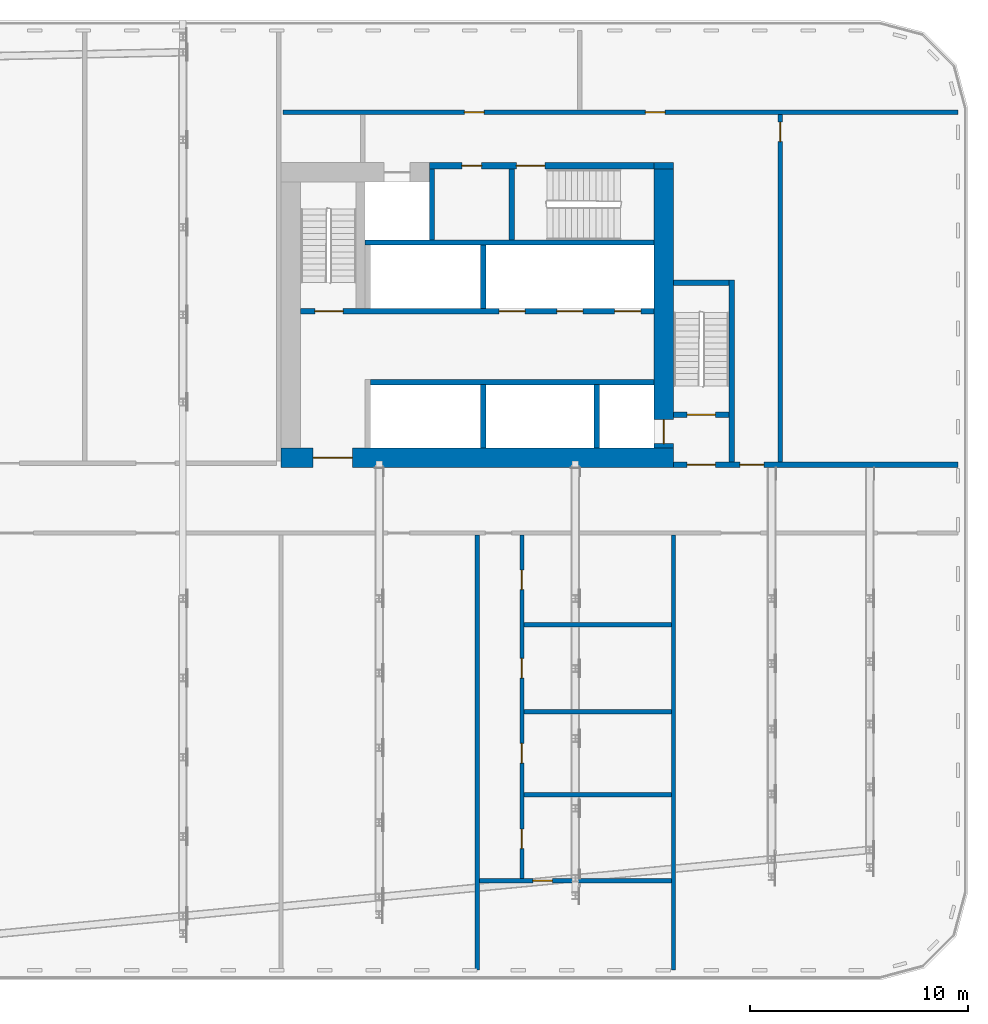
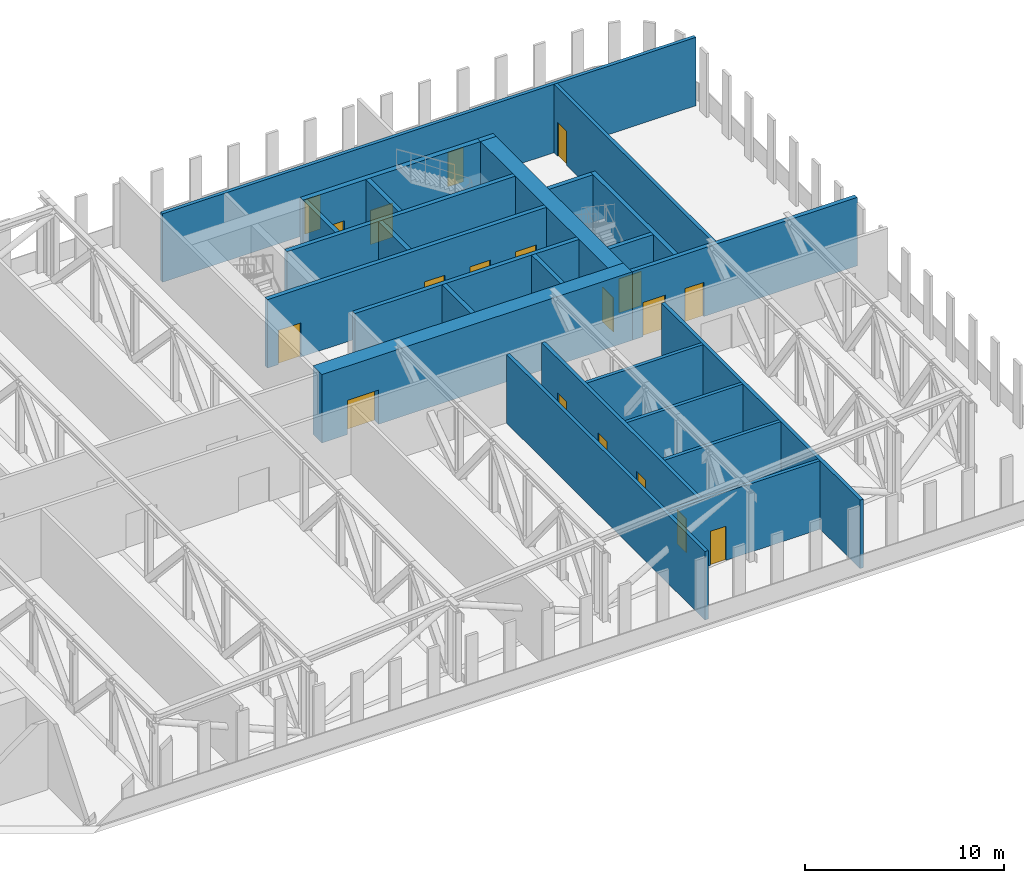
# One storey, part 9 of 22: 25 walls, 19 doors, 19 openings.
"""IFC4 building model written with IfcOpenShell, lengths in metres."""

from ifc_helpers import new_model, si_unit, direction, frame, frame_2d, origin, place, context, subcontext, project, spatial, rectangle, extrude, material, layer, layer_set, type_object, element, fill, save


model = new_model("IFC4")

# Units and contexts
model_context = context("Model", 3, precision=1e-05, world=origin(), true_north=direction((0.0, 1.0)))
body_context = subcontext(model_context, "Body", "Model", "MODEL_VIEW")
ifc_project = project(units=[si_unit("LENGTHUNIT", "METRE"), si_unit("AREAUNIT", "SQUARE_METRE"), si_unit("VOLUMEUNIT", "CUBIC_METRE"), si_unit("PLANEANGLEUNIT", "RADIAN"), si_unit("MASSUNIT", "GRAM", prefix="KILO")], contexts=[model_context])

# Site, building, storey
site_placement = place(None, origin())
site = spatial("IfcSite", under=ifc_project, at=site_placement, CompositionType="ELEMENT")
building_placement = place(site_placement, origin())
building = spatial("IfcBuilding", under=site, at=building_placement, Name="Kajstack Hotel Tower", CompositionType="ELEMENT")
storey_placement = place(building_placement, frame((0.0, 0.0, 99.60009765625)))
storey = spatial("IfcBuildingStorey", under=building, at=storey_placement, Name="L21", CompositionType="ELEMENT", Elevation=99.60009765625)

# Wall, opening, door
ifc_material_1 = material(Name="Concrete C60/75", Category="concrete")
ifc_layer_1 = layer(ifc_material_1, 0.89990234375)
ifc_layer_set_1 = layer_set([ifc_layer_1], Name="Core wall 900")
wall_type_1 = type_object("IfcWallType", Name="Core wall 900", PredefinedType="SHEAR", material=ifc_layer_set_1)
wall_1_placement = place(storey_placement, frame((13.5, 1.949951171875, 0.0), z_axis=(0.0, 0.0, 1.0), x_axis=(1.0, 0.0, 0.0)))
wall_1 = element("IfcWall", 1, at=wall_1_placement, inside=storey, type_object=wall_type_1, Name="Core wall E RN", PredefinedType="SHEAR", context=body_context, shape_type="SweptSolid", body=[
    extrude(rectangle(XDim=18.0, YDim=0.89990234375, at=frame_2d((9.0, 0.0))), origin(), (0.0, 0.0, 1.0), 4.199951171875),
])
opening_1_placement = place(wall_1_placement, frame((1.47509765625, 0.0, 0.0)))
opening_1 = element("IfcOpeningElement", 2, at=opening_1_placement, cuts=wall_1, Name="Opening 21E06", PredefinedType="OPENING", context=body_context, shape_type="SweptSolid", body=[
    extrude(rectangle(XDim=1.800048828125, YDim=2.10009765625, at=frame_2d((0.89990234375, 1.050048828125))), frame((0.0, 0.4599609375, 0.0), z_axis=(0.0, -1.0, 0.0), x_axis=(1.0, 0.0, 0.0)), (0.0, 0.0, 1.0), 0.919921875),
])
ifc_material_2 = material(Name="Glazed steel frame, fire-rated glass", Category="steel")
door_type_1 = type_object("IfcDoorType", Name="Lobby double door 1800", OperationType="DOUBLE_DOOR_DOUBLE_SWING", PredefinedType="DOOR", material=ifc_material_2)
door_1_placement = place(opening_1_placement, origin())
door_1 = element("IfcDoor", 3, at=door_1_placement, inside=storey, type_object=door_type_1, Name="Door 21E06", OperationType="DOUBLE_DOOR_DOUBLE_SWING", OverallHeight=2.10009765625, OverallWidth=1.800048828125, PredefinedType="DOOR", context=body_context, shape_type="SweptSolid", body=[
    extrude(rectangle(XDim=1.800048828125, YDim=2.10009765625, at=frame_2d((0.89990234375, 1.050048828125))), frame((0.0, 0.02490234375, 0.0), z_axis=(0.0, -1.0, 0.0), x_axis=(1.0, 0.0, 0.0)), (0.0, 0.0, 1.0), 0.050048828125),
])
fill(opening_1, door_1)

# Wall
wall_2_placement = place(storey_placement, frame((30.60009765625, 15.35009765625, 0.0), z_axis=(0.0, 0.0, 1.0), x_axis=(1.0, 0.0, 0.0)))
element("IfcWall", 4, at=wall_2_placement, inside=storey, type_object=wall_type_1, Name="Core wall E RSW", PredefinedType="SHEAR", context=body_context, shape_type="SweptSolid", body=[
    extrude(rectangle(XDim=0.89990234375, YDim=0.300048828125, at=frame_2d((0.449951171875, 0.0))), origin(), (0.0, 0.0, 1.0), 4.199951171875),
])

# Wall, opening, door
wall_3_placement = place(storey_placement, frame((31.050048828125, 2.39990234375, 0.0), z_axis=(0.0, 0.0, 1.0), x_axis=(0.0, 1.0, 0.0)))
wall_3 = element("IfcWall", 5, at=wall_3_placement, inside=storey, type_object=wall_type_1, Name="Core wall E RW", PredefinedType="SHEAR", context=body_context, shape_type="SweptSolid", body=[
    extrude(rectangle(XDim=12.800048828125, YDim=0.89990234375, at=frame_2d((6.39990234375, 0.0))), origin(), (0.0, 0.0, 1.0), 4.199951171875),
])
opening_2_placement = place(wall_3_placement, frame((0.199951171875, 0.0, 0.0)))
opening_2 = element("IfcOpeningElement", 6, at=opening_2_placement, cuts=wall_3, Name="Opening LD-FF2", PredefinedType="OPENING", context=body_context, shape_type="SweptSolid", body=[
    extrude(rectangle(XDim=1.10009765625, YDim=2.10009765625, at=frame_2d((0.550048828125, 1.050048828125))), frame((0.0, 0.4599609375, 0.0), z_axis=(0.0, -1.0, 0.0), x_axis=(1.0, 0.0, 0.0)), (0.0, 0.0, 1.0), 0.919921875),
])
ifc_material_3 = material(Name="Stainless steel", Category="steel")
door_type_2 = type_object("IfcDoorType", Name="Fire-fighting lift landing door 1100", OperationType="SLIDING_TO_LEFT", PredefinedType="DOOR", material=ifc_material_3)
door_2_placement = place(opening_2_placement, origin())
door_2 = element("IfcDoor", 7, at=door_2_placement, inside=storey, type_object=door_type_2, Name="Landing door FF2", OperationType="SLIDING_TO_LEFT", OverallHeight=2.10009765625, OverallWidth=1.10009765625, PredefinedType="DOOR", context=body_context, shape_type="SweptSolid", body=[
    extrude(rectangle(XDim=1.10009765625, YDim=2.10009765625, at=frame_2d((0.550048828125, 1.050048828125))), frame((0.0, 0.02490234375, 0.0), z_axis=(0.0, -1.0, 0.0), x_axis=(1.0, 0.0, 0.0)), (0.0, 0.0, 1.0), 0.050048828125),
])
fill(opening_2, door_2)

# Walls
ifc_material_4 = material(Name="Concrete C50/60", Category="concrete")
ifc_layer_2 = layer(ifc_material_4, 0.300048828125)
ifc_layer_set_2 = layer_set([ifc_layer_2], Name="Hoistway divider wall 300")
wall_type_2 = type_object("IfcWallType", Name="Hoistway divider wall 300", PredefinedType="SHEAR", material=ifc_layer_set_2)
wall_4_placement = place(storey_placement, frame((22.77490234375, 2.39990234375, 0.0), z_axis=(0.0, 0.0, 1.0), x_axis=(0.0, 1.0, 0.0)))
element("IfcWall", 8, at=wall_4_placement, inside=storey, type_object=wall_type_2, Name="Core wall E AP2", PredefinedType="SHEAR", context=body_context, shape_type="SweptSolid", body=[
    extrude(rectangle(XDim=2.900146484375, YDim=0.25, at=frame_2d((1.4501953125, 0.0))), origin(), (0.0, 0.0, 1.0), 4.199951171875),
])
wall_5_placement = place(storey_placement, frame((22.77490234375, 8.800048828125, 0.0), z_axis=(0.0, 0.0, 1.0), x_axis=(0.0, 1.0, 0.0)))
element("IfcWall", 9, at=wall_5_placement, inside=storey, type_object=wall_type_2, Name="Core wall E BP2", PredefinedType="SHEAR", context=body_context, shape_type="SweptSolid", body=[
    extrude(rectangle(XDim=2.89990234375, YDim=0.25, at=frame_2d((1.449951171875, 0.0))), origin(), (0.0, 0.0, 1.0), 4.199951171875),
])
ifc_material_5 = material(Name="Gypsum board on steel studs, mineral wool", Category="steel")
ifc_layer_3 = layer(ifc_material_5, 0.199951171875)
ifc_layer_set_3 = layer_set([ifc_layer_3], Name="Public partition 200")
wall_type_3 = type_object("IfcWallType", Name="Public partition 200", PredefinedType="PARTITIONING", material=ifc_layer_set_3)
wall_6_placement = place(storey_placement, frame((22.5, -21.550048828125, 0.0), z_axis=(0.0, 0.0, 1.0), x_axis=(0.0, 1.0, 0.0)))
element("IfcWall", 10, at=wall_6_placement, inside=storey, type_object=wall_type_3, Name="Partition SPX2", PredefinedType="PARTITIONING", context=body_context, shape_type="SweptSolid", body=[
    extrude(rectangle(XDim=19.949951171875, YDim=0.199951171875, at=frame_2d((9.97509765625, 0.0))), origin(), (0.0, 0.0, 1.0), 4.199951171875),
])

# Wall, openings, doors
wall_7_placement = place(storey_placement, frame((24.550048828125, -17.35009765625, 0.0), z_axis=(0.0, 0.0, 1.0), x_axis=(0.0, 1.0, 0.0)))
wall_7 = element("IfcWall", 11, at=wall_7_placement, inside=storey, type_object=wall_type_3, Name="Partition SC3CW", PredefinedType="PARTITIONING", context=body_context, shape_type="SweptSolid", body=[
    extrude(rectangle(XDim=15.75, YDim=0.199951171875, at=frame_2d((7.875, 0.0))), origin(), (0.0, 0.0, 1.0), 4.199951171875),
])
opening_3_placement = place(wall_7_placement, frame((13.25, 0.0, 0.0)))
opening_3 = element("IfcOpeningElement", 12, at=opening_3_placement, cuts=wall_7, Name="Opening 21P17", PredefinedType="OPENING", context=body_context, shape_type="SweptSolid", body=[
    extrude(rectangle(XDim=0.89990234375, YDim=2.10009765625, at=frame_2d((0.449951171875, 1.050048828125))), frame((0.0, 0.10986328125, 0.0), z_axis=(0.0, -1.0, 0.0), x_axis=(1.0, 0.0, 0.0)), (0.0, 0.0, 1.0), 0.219970703125),
])
opening_4_placement = place(wall_7_placement, frame((9.199951171875, 0.0, 0.0)))
opening_4 = element("IfcOpeningElement", 13, at=opening_4_placement, cuts=wall_7, Name="Opening 21P18", PredefinedType="OPENING", context=body_context, shape_type="SweptSolid", body=[
    extrude(rectangle(XDim=0.89990234375, YDim=2.10009765625, at=frame_2d((0.449951171875, 1.050048828125))), frame((0.0, 0.10986328125, 0.0), z_axis=(0.0, -1.0, 0.0), x_axis=(1.0, 0.0, 0.0)), (0.0, 0.0, 1.0), 0.219970703125),
])
opening_5_placement = place(wall_7_placement, frame((5.300048828125, 0.0, 0.0)))
opening_5 = element("IfcOpeningElement", 14, at=opening_5_placement, cuts=wall_7, Name="Opening 21P19", PredefinedType="OPENING", context=body_context, shape_type="SweptSolid", body=[
    extrude(rectangle(XDim=0.89990234375, YDim=2.10009765625, at=frame_2d((0.449951171875, 1.050048828125))), frame((0.0, 0.10986328125, 0.0), z_axis=(0.0, -1.0, 0.0), x_axis=(1.0, 0.0, 0.0)), (0.0, 0.0, 1.0), 0.219970703125),
])
opening_6_placement = place(wall_7_placement, frame((1.375, 0.0, 0.0)))
opening_6 = element("IfcOpeningElement", 15, at=opening_6_placement, cuts=wall_7, Name="Opening 21P20", PredefinedType="OPENING", context=body_context, shape_type="SweptSolid", body=[
    extrude(rectangle(XDim=0.89990234375, YDim=2.10009765625, at=frame_2d((0.449951171875, 1.050048828125))), frame((0.0, 0.10986328125, 0.0), z_axis=(0.0, -1.0, 0.0), x_axis=(1.0, 0.0, 0.0)), (0.0, 0.0, 1.0), 0.219970703125),
])
ifc_material_6 = material(Name="Timber leaf", Category="wood")
door_type_3 = type_object("IfcDoorType", Name="Public room door 900", OperationType="SINGLE_SWING_LEFT", PredefinedType="DOOR", material=ifc_material_6)
door_3_placement = place(opening_3_placement, origin())
door_3 = element("IfcDoor", 16, at=door_3_placement, inside=storey, type_object=door_type_3, Name="Door 21P17", OperationType="SINGLE_SWING_RIGHT", OverallHeight=2.10009765625, OverallWidth=0.89990234375, PredefinedType="DOOR", context=body_context, shape_type="SweptSolid", body=[
    extrude(rectangle(XDim=0.89990234375, YDim=2.10009765625, at=frame_2d((0.449951171875, 1.050048828125))), frame((0.0, 0.02490234375, 0.0), z_axis=(0.0, -1.0, 0.0), x_axis=(1.0, 0.0, 0.0)), (0.0, 0.0, 1.0), 0.050048828125),
])
fill(opening_3, door_3)
door_4_placement = place(opening_4_placement, origin())
door_4 = element("IfcDoor", 17, at=door_4_placement, inside=storey, type_object=door_type_3, Name="Door 21P18", OperationType="SINGLE_SWING_RIGHT", OverallHeight=2.10009765625, OverallWidth=0.89990234375, PredefinedType="DOOR", context=body_context, shape_type="SweptSolid", body=[
    extrude(rectangle(XDim=0.89990234375, YDim=2.10009765625, at=frame_2d((0.449951171875, 1.050048828125))), frame((0.0, 0.02490234375, 0.0), z_axis=(0.0, -1.0, 0.0), x_axis=(1.0, 0.0, 0.0)), (0.0, 0.0, 1.0), 0.050048828125),
])
fill(opening_4, door_4)
door_5_placement = place(opening_5_placement, origin())
door_5 = element("IfcDoor", 18, at=door_5_placement, inside=storey, type_object=door_type_3, Name="Door 21P19", OperationType="SINGLE_SWING_RIGHT", OverallHeight=2.10009765625, OverallWidth=0.89990234375, PredefinedType="DOOR", context=body_context, shape_type="SweptSolid", body=[
    extrude(rectangle(XDim=0.89990234375, YDim=2.10009765625, at=frame_2d((0.449951171875, 1.050048828125))), frame((0.0, 0.02490234375, 0.0), z_axis=(0.0, -1.0, 0.0), x_axis=(1.0, 0.0, 0.0)), (0.0, 0.0, 1.0), 0.050048828125),
])
fill(opening_5, door_5)
door_6_placement = place(opening_6_placement, origin())
door_6 = element("IfcDoor", 19, at=door_6_placement, inside=storey, type_object=door_type_3, Name="Door 21P20", OperationType="SINGLE_SWING_RIGHT", OverallHeight=2.10009765625, OverallWidth=0.89990234375, PredefinedType="DOOR", context=body_context, shape_type="SweptSolid", body=[
    extrude(rectangle(XDim=0.89990234375, YDim=2.10009765625, at=frame_2d((0.449951171875, 1.050048828125))), frame((0.0, 0.02490234375, 0.0), z_axis=(0.0, -1.0, 0.0), x_axis=(1.0, 0.0, 0.0)), (0.0, 0.0, 1.0), 0.050048828125),
])
fill(opening_6, door_6)

# Walls
for number, where, z_axis, x_axis, name in (
    (20, (24.64990234375, -5.699951171875, 0.0), (0.0, 0.0, 1.0), (1.0, 0.0, 0.0), "Partition SC3wP0"),
    (21, (24.64990234375, -9.699951171875, 0.0), (0.0, 0.0, 1.0), (1.0, 0.0, 0.0), "Partition SC3wP1"),
    (22, (24.64990234375, -13.5, 0.0), (0.0, 0.0, 1.0), (1.0, 0.0, 0.0), "Partition SC3wP2"),
):
    element("IfcWall", number, at=place(storey_placement, frame(where, z_axis=z_axis, x_axis=x_axis)), inside=storey, type_object=wall_type_3, Name=name, PredefinedType="PARTITIONING", context=body_context, shape_type="SweptSolid", body=[
        extrude(rectangle(XDim=6.75, YDim=0.199951171875, at=frame_2d((3.375, 0.0))), origin(), (0.0, 0.0, 1.0), 4.199951171875),
    ])

# Wall, opening, door
wall_8_placement = place(storey_placement, frame((22.60009765625, -17.449951171875, 0.0), z_axis=(0.0, 0.0, 1.0), x_axis=(1.0, 0.0, 0.0)))
wall_8 = element("IfcWall", 23, at=wall_8_placement, inside=storey, type_object=wall_type_3, Name="Partition SC3BW", PredefinedType="PARTITIONING", context=body_context, shape_type="SweptSolid", body=[
    extrude(rectangle(XDim=8.7998046875, YDim=0.199951171875, at=frame_2d((4.39990234375, 0.0))), origin(), (0.0, 0.0, 1.0), 4.199951171875),
])
opening_7_placement = place(wall_8_placement, frame((2.449951171875, 0.0, 0.0)))
opening_7 = element("IfcOpeningElement", 24, at=opening_7_placement, cuts=wall_8, Name="Opening 21P21", PredefinedType="OPENING", context=body_context, shape_type="SweptSolid", body=[
    extrude(rectangle(XDim=0.89990234375, YDim=2.10009765625, at=frame_2d((0.449951171875, 1.050048828125))), frame((0.0, 0.10986328125, 0.0), z_axis=(0.0, -1.0, 0.0), x_axis=(1.0, 0.0, 0.0)), (0.0, 0.0, 1.0), 0.219970703125),
])
door_7_placement = place(opening_7_placement, origin())
door_7 = element("IfcDoor", 25, at=door_7_placement, inside=storey, type_object=door_type_3, Name="Door 21P21", OperationType="SINGLE_SWING_RIGHT", OverallHeight=2.10009765625, OverallWidth=0.89990234375, PredefinedType="DOOR", context=body_context, shape_type="SweptSolid", body=[
    extrude(rectangle(XDim=0.89990234375, YDim=2.10009765625, at=frame_2d((0.449951171875, 1.050048828125))), frame((0.0, 0.02490234375, 0.0), z_axis=(0.0, -1.0, 0.0), x_axis=(1.0, 0.0, 0.0)), (0.0, 0.0, 1.0), 0.050048828125),
])
fill(opening_7, door_7)

# Wall
wall_9_placement = place(storey_placement, frame((31.5, -21.550048828125, 0.0), z_axis=(0.0, 0.0, 1.0), x_axis=(0.0, 1.0, 0.0)))
element("IfcWall", 26, at=wall_9_placement, inside=storey, type_object=wall_type_3, Name="Partition SPX3", PredefinedType="PARTITIONING", context=body_context, shape_type="SweptSolid", body=[
    extrude(rectangle(XDim=19.949951171875, YDim=0.199951171875, at=frame_2d((9.97509765625, 0.0))), origin(), (0.0, 0.0, 1.0), 4.199951171875),
])

# Wall, openings, doors
ifc_layer_4 = layer(ifc_material_5, 0.199951171875)
ifc_layer_set_4 = layer_set([ifc_layer_4], Name="Service partition 200")
wall_type_4 = type_object("IfcWallType", Name="Service partition 200", PredefinedType="PARTITIONING", material=ifc_layer_set_4)
wall_10_placement = place(storey_placement, frame((31.5, 1.625, 0.0), z_axis=(0.0, 0.0, 1.0), x_axis=(1.0, 0.0, 0.0)))
wall_10 = element("IfcWall", 27, at=wall_10_placement, inside=storey, type_object=wall_type_4, Name="Partition E SN", PredefinedType="PARTITIONING", context=body_context, shape_type="SweptSolid", body=[
    extrude(rectangle(XDim=13.050048828125, YDim=0.25, at=frame_2d((6.52490234375, 0.0))), origin(), (0.0, 0.0, 1.0), 4.199951171875),
])
opening_8_placement = place(wall_10_placement, frame((0.625, 0.0, 0.0)))
opening_8 = element("IfcOpeningElement", 28, at=opening_8_placement, cuts=wall_10, Name="Opening 21E07", PredefinedType="OPENING", context=body_context, shape_type="SweptSolid", body=[
    extrude(rectangle(XDim=1.300048828125, YDim=2.10009765625, at=frame_2d((0.64990234375, 1.050048828125))), frame((0.0, 0.135009765625, 0.0), z_axis=(0.0, -1.0, 0.0), x_axis=(1.0, 0.0, 0.0)), (0.0, 0.0, 1.0), 0.27001953125),
])
opening_9_placement = place(wall_10_placement, frame((3.050048828125, 0.0, 0.0)))
opening_9 = element("IfcOpeningElement", 29, at=opening_9_placement, cuts=wall_10, Name="Opening 21E09", PredefinedType="OPENING", context=body_context, shape_type="SweptSolid", body=[
    extrude(rectangle(XDim=1.10009765625, YDim=2.10009765625, at=frame_2d((0.550048828125, 1.050048828125))), frame((0.0, 0.135009765625, 0.0), z_axis=(0.0, -1.0, 0.0), x_axis=(1.0, 0.0, 0.0)), (0.0, 0.0, 1.0), 0.27001953125),
])
ifc_material_7 = material(Name="Steel leaf, fire-rated", Category="steel")
door_type_4 = type_object("IfcDoorType", Name="Fire lobby door 1300", OperationType="SINGLE_SWING_LEFT", PredefinedType="DOOR", material=ifc_material_7)
door_8_placement = place(opening_8_placement, origin())
door_8 = element("IfcDoor", 30, at=door_8_placement, inside=storey, type_object=door_type_4, Name="Door 21E07", OperationType="SINGLE_SWING_LEFT", OverallHeight=2.10009765625, OverallWidth=1.300048828125, PredefinedType="DOOR", context=body_context, shape_type="SweptSolid", body=[
    extrude(rectangle(XDim=1.300048828125, YDim=2.10009765625, at=frame_2d((0.64990234375, 1.050048828125))), frame((0.0, 0.02490234375, 0.0), z_axis=(0.0, -1.0, 0.0), x_axis=(1.0, 0.0, 0.0)), (0.0, 0.0, 1.0), 0.050048828125),
])
fill(opening_8, door_8)
ifc_material_8 = material(Name="Timber leaf, fire-rated", Category="wood")
door_type_5 = type_object("IfcDoorType", Name="Service corridor door 1100", OperationType="SINGLE_SWING_LEFT", PredefinedType="DOOR", material=ifc_material_8)
door_9_placement = place(opening_9_placement, origin())
door_9 = element("IfcDoor", 31, at=door_9_placement, inside=storey, type_object=door_type_5, Name="Door 21E09", OperationType="SINGLE_SWING_LEFT", OverallHeight=2.10009765625, OverallWidth=1.10009765625, PredefinedType="DOOR", context=body_context, shape_type="SweptSolid", body=[
    extrude(rectangle(XDim=1.10009765625, YDim=2.10009765625, at=frame_2d((0.550048828125, 1.050048828125))), frame((0.0, 0.02490234375, 0.0), z_axis=(0.0, -1.0, 0.0), x_axis=(1.0, 0.0, 0.0)), (0.0, 0.0, 1.0), 0.050048828125),
])
fill(opening_9, door_9)

# Wall, opening, door
wall_11_placement = place(storey_placement, frame((36.39990234375, 1.75, 0.0), z_axis=(0.0, 0.0, 1.0), x_axis=(0.0, 1.0, 0.0)))
wall_11 = element("IfcWall", 32, at=wall_11_placement, inside=storey, type_object=wall_type_4, Name="Partition E WRE", PredefinedType="PARTITIONING", context=body_context, shape_type="SweptSolid", body=[
    extrude(rectangle(XDim=15.949951171875, YDim=0.199951171875, at=frame_2d((7.97509765625, 0.0))), origin(), (0.0, 0.0, 1.0), 4.199951171875),
])
opening_10_placement = place(wall_11_placement, frame((14.699951171875, 0.0, 0.0)))
opening_10 = element("IfcOpeningElement", 33, at=opening_10_placement, cuts=wall_11, Name="Opening 21E15", PredefinedType="OPENING", context=body_context, shape_type="SweptSolid", body=[
    extrude(rectangle(XDim=0.89990234375, YDim=2.10009765625, at=frame_2d((0.449951171875, 1.050048828125))), frame((0.0, 0.10986328125, 0.0), z_axis=(0.0, -1.0, 0.0), x_axis=(1.0, 0.0, 0.0)), (0.0, 0.0, 1.0), 0.219970703125),
])
door_type_6 = type_object("IfcDoorType", Name="Service door 900", OperationType="SINGLE_SWING_LEFT", PredefinedType="DOOR", material=ifc_material_8)
door_10_placement = place(opening_10_placement, origin())
door_10 = element("IfcDoor", 34, at=door_10_placement, inside=storey, type_object=door_type_6, Name="Door 21E15", OperationType="SINGLE_SWING_RIGHT", OverallHeight=2.10009765625, OverallWidth=0.89990234375, PredefinedType="DOOR", context=body_context, shape_type="SweptSolid", body=[
    extrude(rectangle(XDim=0.89990234375, YDim=2.10009765625, at=frame_2d((0.449951171875, 1.050048828125))), frame((0.0, 0.02490234375, 0.0), z_axis=(0.0, -1.0, 0.0), x_axis=(1.0, 0.0, 0.0)), (0.0, 0.0, 1.0), 0.050048828125),
])
fill(opening_10, door_10)

# Wall, openings, doors
wall_12_placement = place(storey_placement, frame((13.60009765625, 17.800048828125, 0.0), z_axis=(0.0, 0.0, 1.0), x_axis=(1.0, 0.0, 0.0)))
wall_12 = element("IfcWall", 35, at=wall_12_placement, inside=storey, type_object=wall_type_4, Name="Partition E SLN", PredefinedType="PARTITIONING", context=body_context, shape_type="SweptSolid", body=[
    extrude(rectangle(XDim=30.949951171875, YDim=0.199951171875, at=frame_2d((15.47509765625, 0.0))), origin(), (0.0, 0.0, 1.0), 4.199951171875),
])
opening_11_placement = place(wall_12_placement, frame((16.612548828125, 0.0, 0.0)))
opening_11 = element("IfcOpeningElement", 36, at=opening_11_placement, cuts=wall_12, Name="Opening 21E13", PredefinedType="OPENING", context=body_context, shape_type="SweptSolid", body=[
    extrude(rectangle(XDim=0.89990234375, YDim=2.10009765625, at=frame_2d((0.449951171875, 1.050048828125))), frame((0.0, 0.10986328125, 0.0), z_axis=(0.0, -1.0, 0.0), x_axis=(1.0, 0.0, 0.0)), (0.0, 0.0, 1.0), 0.219970703125),
])
opening_12_placement = place(wall_12_placement, frame((8.3125, 0.0, 0.0)))
opening_12 = element("IfcOpeningElement", 37, at=opening_12_placement, cuts=wall_12, Name="Opening 21E14", PredefinedType="OPENING", context=body_context, shape_type="SweptSolid", body=[
    extrude(rectangle(XDim=0.89990234375, YDim=2.10009765625, at=frame_2d((0.449951171875, 1.050048828125))), frame((0.0, 0.10986328125, 0.0), z_axis=(0.0, -1.0, 0.0), x_axis=(1.0, 0.0, 0.0)), (0.0, 0.0, 1.0), 0.219970703125),
])
door_11_placement = place(opening_11_placement, origin())
door_11 = element("IfcDoor", 38, at=door_11_placement, inside=storey, type_object=door_type_6, Name="Door 21E13", OperationType="SINGLE_SWING_LEFT", OverallHeight=2.10009765625, OverallWidth=0.89990234375, PredefinedType="DOOR", context=body_context, shape_type="SweptSolid", body=[
    extrude(rectangle(XDim=0.89990234375, YDim=2.10009765625, at=frame_2d((0.449951171875, 1.050048828125))), frame((0.0, 0.02490234375, 0.0), z_axis=(0.0, -1.0, 0.0), x_axis=(1.0, 0.0, 0.0)), (0.0, 0.0, 1.0), 0.050048828125),
])
fill(opening_11, door_11)
door_12_placement = place(opening_12_placement, origin())
door_12 = element("IfcDoor", 39, at=door_12_placement, inside=storey, type_object=door_type_6, Name="Door 21E14", OperationType="SINGLE_SWING_LEFT", OverallHeight=2.10009765625, OverallWidth=0.89990234375, PredefinedType="DOOR", context=body_context, shape_type="SweptSolid", body=[
    extrude(rectangle(XDim=0.89990234375, YDim=2.10009765625, at=frame_2d((0.449951171875, 1.050048828125))), frame((0.0, 0.02490234375, 0.0), z_axis=(0.0, -1.0, 0.0), x_axis=(1.0, 0.0, 0.0)), (0.0, 0.0, 1.0), 0.050048828125),
])
fill(opening_12, door_12)

ifc_layer_5 = layer(ifc_material_4, 0.25)
ifc_layer_set_5 = layer_set([ifc_layer_5], Name="Shaft wall 250")
wall_type_5 = type_object("IfcWallType", Name="Shaft wall 250", PredefinedType="SHEAR", material=ifc_layer_set_5)
wall_13_placement = place(storey_placement, frame((20.300048828125, 15.35009765625, 0.0), z_axis=(0.0, 0.0, 1.0), x_axis=(1.0, 0.0, 0.0)))
wall_13 = element("IfcWall", 40, at=wall_13_placement, inside=storey, type_object=wall_type_5, Name="Core wall E RSS", PredefinedType="SHEAR", context=body_context, shape_type="SweptSolid", body=[
    extrude(rectangle(XDim=10.300048828125, YDim=0.300048828125, at=frame_2d((5.14990234375, 0.0))), origin(), (0.0, 0.0, 1.0), 4.199951171875),
])
opening_13_placement = place(wall_13_placement, frame((4.0, 0.0, 0.0)))
opening_13 = element("IfcOpeningElement", 41, at=opening_13_placement, cuts=wall_13, Name="Opening 21E11", PredefinedType="OPENING", context=body_context, shape_type="SweptSolid", body=[
    extrude(rectangle(XDim=1.300048828125, YDim=2.10009765625, at=frame_2d((0.64990234375, 1.050048828125))), frame((0.0, 0.159912109375, 0.0), z_axis=(0.0, -1.0, 0.0), x_axis=(1.0, 0.0, 0.0)), (0.0, 0.0, 1.0), 0.320068359375),
])
opening_14_placement = place(wall_13_placement, frame((1.5, 0.0, 0.0)))
opening_14 = element("IfcOpeningElement", 42, at=opening_14_placement, cuts=wall_13, Name="Opening 21E12", PredefinedType="OPENING", context=body_context, shape_type="SweptSolid", body=[
    extrude(rectangle(XDim=0.89990234375, YDim=2.10009765625, at=frame_2d((0.449951171875, 1.050048828125))), frame((0.0, 0.159912109375, 0.0), z_axis=(0.0, -1.0, 0.0), x_axis=(1.0, 0.0, 0.0)), (0.0, 0.0, 1.0), 0.320068359375),
])
door_13_placement = place(opening_14_placement, origin())
door_13 = element("IfcDoor", 43, at=door_13_placement, inside=storey, type_object=door_type_6, Name="Door 21E12", OperationType="SINGLE_SWING_RIGHT", OverallHeight=2.10009765625, OverallWidth=0.89990234375, PredefinedType="DOOR", context=body_context, shape_type="SweptSolid", body=[
    extrude(rectangle(XDim=0.89990234375, YDim=2.10009765625, at=frame_2d((0.449951171875, 1.050048828125))), frame((0.0, 0.02490234375, 0.0), z_axis=(0.0, -1.0, 0.0), x_axis=(1.0, 0.0, 0.0)), (0.0, 0.0, 1.0), 0.050048828125),
])
fill(opening_14, door_13)
door_type_7 = type_object("IfcDoorType", Name="Stair door 1300", OperationType="SINGLE_SWING_LEFT", PredefinedType="DOOR", material=ifc_material_7)
door_14_placement = place(opening_13_placement, origin())
door_14 = element("IfcDoor", 44, at=door_14_placement, inside=storey, type_object=door_type_7, Name="Door 21E11", OperationType="SINGLE_SWING_LEFT", OverallHeight=2.10009765625, OverallWidth=1.300048828125, PredefinedType="DOOR", context=body_context, shape_type="SweptSolid", body=[
    extrude(rectangle(XDim=1.300048828125, YDim=2.10009765625, at=frame_2d((0.64990234375, 1.050048828125))), frame((0.0, 0.02490234375, 0.0), z_axis=(0.0, -1.0, 0.0), x_axis=(1.0, 0.0, 0.0)), (0.0, 0.0, 1.0), 0.050048828125),
])
fill(opening_13, door_14)

# Walls
wall_14_placement = place(storey_placement, frame((17.60009765625, 5.425048828125, 0.0), z_axis=(0.0, 0.0, 1.0), x_axis=(1.0, 0.0, 0.0)))
element("IfcWall", 45, at=wall_14_placement, inside=storey, type_object=wall_type_5, Name="Core wall E FA", PredefinedType="SHEAR", context=body_context, shape_type="SweptSolid", body=[
    extrude(rectangle(XDim=13.0, YDim=0.25, at=frame_2d((6.5, 0.0))), origin(), (0.0, 0.0, 1.0), 4.199951171875),
])
wall_15_placement = place(storey_placement, frame((27.97509765625, 2.39990234375, 0.0), z_axis=(0.0, 0.0, 1.0), x_axis=(0.0, 1.0, 0.0)))
element("IfcWall", 46, at=wall_15_placement, inside=storey, type_object=wall_type_5, Name="Core wall E AP0", PredefinedType="SHEAR", context=body_context, shape_type="SweptSolid", body=[
    extrude(rectangle(XDim=2.900146484375, YDim=0.25, at=frame_2d((1.4501953125, 0.0))), origin(), (0.0, 0.0, 1.0), 4.199951171875),
])

# Wall, openings, doors
wall_16_placement = place(storey_placement, frame((14.39990234375, 8.675048828125, 0.0), z_axis=(0.0, 0.0, 1.0), x_axis=(1.0, 0.0, 0.0)))
wall_16 = element("IfcWall", 47, at=wall_16_placement, inside=storey, type_object=wall_type_5, Name="Core wall E FB", PredefinedType="SHEAR", context=body_context, shape_type="SweptSolid", body=[
    extrude(rectangle(XDim=16.2001953125, YDim=0.25, at=frame_2d((8.10009765625, 0.0))), origin(), (0.0, 0.0, 1.0), 4.199951171875),
])
opening_15_placement = place(wall_16_placement, frame((14.39990234375, 0.0, 0.0)))
opening_15 = element("IfcOpeningElement", 48, at=opening_15_placement, cuts=wall_16, Name="Opening LD-LR4", PredefinedType="OPENING", context=body_context, shape_type="SweptSolid", body=[
    extrude(rectangle(XDim=1.199951171875, YDim=2.10009765625, at=frame_2d((0.60009765625, 1.050048828125))), frame((0.0, 0.135009765625, 0.0), z_axis=(0.0, -1.0, 0.0), x_axis=(1.0, 0.0, 0.0)), (0.0, 0.0, 1.0), 0.27001953125),
])
opening_16_placement = place(wall_16_placement, frame((11.75, 0.0, 0.0)))
opening_16 = element("IfcOpeningElement", 49, at=opening_16_placement, cuts=wall_16, Name="Opening LD-LR5", PredefinedType="OPENING", context=body_context, shape_type="SweptSolid", body=[
    extrude(rectangle(XDim=1.199951171875, YDim=2.10009765625, at=frame_2d((0.60009765625, 1.050048828125))), frame((0.0, 0.135009765625, 0.0), z_axis=(0.0, -1.0, 0.0), x_axis=(1.0, 0.0, 0.0)), (0.0, 0.0, 1.0), 0.27001953125),
])
opening_17_placement = place(wall_16_placement, frame((9.10009765625, 0.0, 0.0)))
opening_17 = element("IfcOpeningElement", 50, at=opening_17_placement, cuts=wall_16, Name="Opening LD-LR6", PredefinedType="OPENING", context=body_context, shape_type="SweptSolid", body=[
    extrude(rectangle(XDim=1.199951171875, YDim=2.10009765625, at=frame_2d((0.60009765625, 1.050048828125))), frame((0.0, 0.135009765625, 0.0), z_axis=(0.0, -1.0, 0.0), x_axis=(1.0, 0.0, 0.0)), (0.0, 0.0, 1.0), 0.27001953125),
])
opening_18_placement = place(wall_16_placement, frame((0.64990234375, 0.0, 0.0)))
opening_18 = element("IfcOpeningElement", 51, at=opening_18_placement, cuts=wall_16, Name="Opening 21E10", PredefinedType="OPENING", context=body_context, shape_type="SweptSolid", body=[
    extrude(rectangle(XDim=1.300048828125, YDim=2.10009765625, at=frame_2d((0.64990234375, 1.050048828125))), frame((0.0, 0.135009765625, 0.0), z_axis=(0.0, -1.0, 0.0), x_axis=(1.0, 0.0, 0.0)), (0.0, 0.0, 1.0), 0.27001953125),
])
door_type_8 = type_object("IfcDoorType", Name="Lift landing door 1200", OperationType="SLIDING_TO_LEFT", PredefinedType="DOOR", material=ifc_material_3)
door_15_placement = place(opening_15_placement, origin())
door_15 = element("IfcDoor", 52, at=door_15_placement, inside=storey, type_object=door_type_8, Name="Landing door LR4", OperationType="SLIDING_TO_LEFT", OverallHeight=2.10009765625, OverallWidth=1.199951171875, PredefinedType="DOOR", context=body_context, shape_type="SweptSolid", body=[
    extrude(rectangle(XDim=1.199951171875, YDim=2.10009765625, at=frame_2d((0.60009765625, 1.050048828125))), frame((0.0, 0.02490234375, 0.0), z_axis=(0.0, -1.0, 0.0), x_axis=(1.0, 0.0, 0.0)), (0.0, 0.0, 1.0), 0.050048828125),
])
fill(opening_15, door_15)
door_16_placement = place(opening_16_placement, origin())
door_16 = element("IfcDoor", 53, at=door_16_placement, inside=storey, type_object=door_type_8, Name="Landing door LR5", OperationType="SLIDING_TO_RIGHT", OverallHeight=2.10009765625, OverallWidth=1.199951171875, PredefinedType="DOOR", context=body_context, shape_type="SweptSolid", body=[
    extrude(rectangle(XDim=1.199951171875, YDim=2.10009765625, at=frame_2d((0.60009765625, 1.050048828125))), frame((0.0, 0.02490234375, 0.0), z_axis=(0.0, -1.0, 0.0), x_axis=(1.0, 0.0, 0.0)), (0.0, 0.0, 1.0), 0.050048828125),
])
fill(opening_16, door_16)
door_17_placement = place(opening_17_placement, origin())
door_17 = element("IfcDoor", 54, at=door_17_placement, inside=storey, type_object=door_type_8, Name="Landing door LR6", OperationType="SLIDING_TO_RIGHT", OverallHeight=2.10009765625, OverallWidth=1.199951171875, PredefinedType="DOOR", context=body_context, shape_type="SweptSolid", body=[
    extrude(rectangle(XDim=1.199951171875, YDim=2.10009765625, at=frame_2d((0.60009765625, 1.050048828125))), frame((0.0, 0.02490234375, 0.0), z_axis=(0.0, -1.0, 0.0), x_axis=(1.0, 0.0, 0.0)), (0.0, 0.0, 1.0), 0.050048828125),
])
fill(opening_17, door_17)
door_18_placement = place(opening_18_placement, origin())
door_18 = element("IfcDoor", 55, at=door_18_placement, inside=storey, type_object=door_type_7, Name="Door 21E10", OperationType="SINGLE_SWING_LEFT", OverallHeight=2.10009765625, OverallWidth=1.300048828125, PredefinedType="DOOR", context=body_context, shape_type="SweptSolid", body=[
    extrude(rectangle(XDim=1.300048828125, YDim=2.10009765625, at=frame_2d((0.64990234375, 1.050048828125))), frame((0.0, 0.02490234375, 0.0), z_axis=(0.0, -1.0, 0.0), x_axis=(1.0, 0.0, 0.0)), (0.0, 0.0, 1.0), 0.050048828125),
])
fill(opening_18, door_18)

# Walls
wall_17_placement = place(storey_placement, frame((17.35009765625, 11.824951171875, 0.0), z_axis=(0.0, 0.0, 1.0), x_axis=(1.0, 0.0, 0.0)))
element("IfcWall", 56, at=wall_17_placement, inside=storey, type_object=wall_type_5, Name="Core wall E RB", PredefinedType="SHEAR", context=body_context, shape_type="SweptSolid", body=[
    extrude(rectangle(XDim=13.25, YDim=0.25, at=frame_2d((6.625, 0.0))), origin(), (0.0, 0.0, 1.0), 4.199951171875),
])
wall_18_placement = place(storey_placement, frame((20.425048828125, 11.949951171875, 0.0), z_axis=(0.0, 0.0, 1.0), x_axis=(0.0, 1.0, 0.0)))
element("IfcWall", 57, at=wall_18_placement, inside=storey, type_object=wall_type_5, Name="Core wall E SVW", PredefinedType="SHEAR", context=body_context, shape_type="SweptSolid", body=[
    extrude(rectangle(XDim=3.25, YDim=0.25, at=frame_2d((1.625, 0.0))), origin(), (0.0, 0.0, 1.0), 4.199951171875),
])

# Wall, opening, door
ifc_material_9 = material(Name="Concrete C40/50", Category="concrete")
ifc_layer_6 = layer(ifc_material_9, 0.25)
ifc_layer_set_6 = layer_set([ifc_layer_6], Name="Stair enclosure wall 250")
wall_type_6 = type_object("IfcWallType", Name="Stair enclosure wall 250", PredefinedType="SHEAR", material=ifc_layer_set_6)
wall_19_placement = place(storey_placement, frame((31.5, 3.925048828125, 0.0), z_axis=(0.0, 0.0, 1.0), x_axis=(1.0, 0.0, 0.0)))
wall_19 = element("IfcWall", 58, at=wall_19_placement, inside=storey, type_object=wall_type_6, Name="Core wall E W1N", PredefinedType="SHEAR", context=body_context, shape_type="SweptSolid", body=[
    extrude(rectangle(XDim=2.550048828125, YDim=0.25, at=frame_2d((1.27490234375, 0.0))), origin(), (0.0, 0.0, 1.0), 4.199951171875),
])
opening_19_placement = place(wall_19_placement, frame((0.625, 0.0, 0.0)))
opening_19 = element("IfcOpeningElement", 59, at=opening_19_placement, cuts=wall_19, Name="Opening 21E08", PredefinedType="OPENING", context=body_context, shape_type="SweptSolid", body=[
    extrude(rectangle(XDim=1.300048828125, YDim=2.10009765625, at=frame_2d((0.64990234375, 1.050048828125))), frame((0.0, 0.135009765625, 0.0), z_axis=(0.0, -1.0, 0.0), x_axis=(1.0, 0.0, 0.0)), (0.0, 0.0, 1.0), 0.27001953125),
])
door_19_placement = place(opening_19_placement, origin())
door_19 = element("IfcDoor", 60, at=door_19_placement, inside=storey, type_object=door_type_7, Name="Door 21E08", OperationType="SINGLE_SWING_LEFT", OverallHeight=2.10009765625, OverallWidth=1.300048828125, PredefinedType="DOOR", context=body_context, shape_type="SweptSolid", body=[
    extrude(rectangle(XDim=1.300048828125, YDim=2.10009765625, at=frame_2d((0.64990234375, 1.050048828125))), frame((0.0, 0.02490234375, 0.0), z_axis=(0.0, -1.0, 0.0), x_axis=(1.0, 0.0, 0.0)), (0.0, 0.0, 1.0), 0.050048828125),
])
fill(opening_19, door_19)

# Walls
wall_20_placement = place(storey_placement, frame((34.175048828125, 1.75, 0.0), z_axis=(0.0, 0.0, 1.0), x_axis=(0.0, 1.0, 0.0)))
element("IfcWall", 61, at=wall_20_placement, inside=storey, type_object=wall_type_6, Name="Core wall E W1W", PredefinedType="SHEAR", context=body_context, shape_type="SweptSolid", body=[
    extrude(rectangle(XDim=8.35009765625, YDim=0.25, at=frame_2d((4.175048828125, 0.0))), origin(), (0.0, 0.0, 1.0), 4.199951171875),
])
wall_21_placement = place(storey_placement, frame((31.5, 9.97509765625, 0.0), z_axis=(0.0, 0.0, 1.0), x_axis=(1.0, 0.0, 0.0)))
element("IfcWall", 62, at=wall_21_placement, inside=storey, type_object=wall_type_6, Name="Core wall E W1S", PredefinedType="SHEAR", context=body_context, shape_type="SweptSolid", body=[
    extrude(rectangle(XDim=2.550048828125, YDim=0.25, at=frame_2d((1.27490234375, 0.0))), origin(), (0.0, 0.0, 1.0), 4.199951171875),
])
ifc_layer_7 = layer(ifc_material_4, 0.35009765625)
ifc_layer_set_7 = layer_set([ifc_layer_7], Name="Stair enclosure wall 350")
wall_type_7 = type_object("IfcWallType", Name="Stair enclosure wall 350", PredefinedType="SHEAR", material=ifc_layer_set_7)
wall_22_placement = place(storey_placement, frame((24.074951171875, 11.949951171875, 0.0), z_axis=(0.0, 0.0, 1.0), x_axis=(0.0, 1.0, 0.0)))
element("IfcWall", 63, at=wall_22_placement, inside=storey, type_object=wall_type_7, Name="Core wall E W3E", PredefinedType="SHEAR", context=body_context, shape_type="SweptSolid", body=[
    extrude(rectangle(XDim=3.25, YDim=0.25, at=frame_2d((1.625, 0.0))), origin(), (0.0, 0.0, 1.0), 4.199951171875),
])

save(model, "model.ifc")
